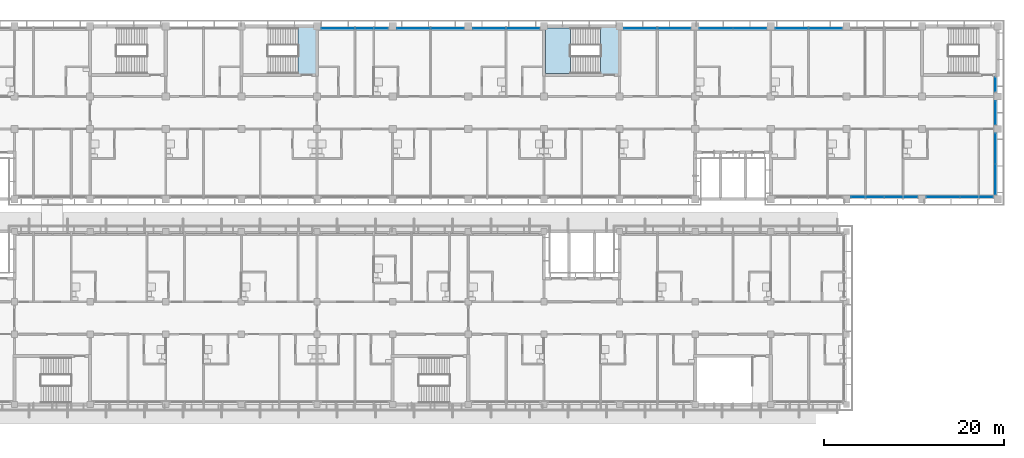
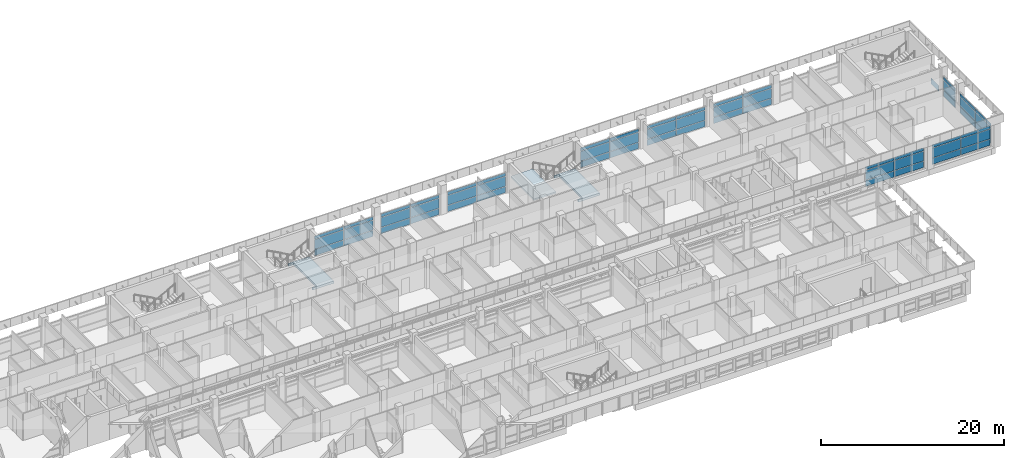
# One storey, part 25 of 71: 58 plates, 3 slabs, 12 elements without a shape of their own.
"""IFC4 building model written with IfcOpenShell, lengths in metres."""

from ifc_helpers import new_model, si_unit, direction, frame, origin, origin_2d, place, context, subcontext, project, spatial, polyline, rectangle, outline, extrude, material, layer, layer_set, type_object, element, aggregate, save


model = new_model("IFC4")

# Units and contexts
model_context = context("Model", 3, precision=1e-05, world=origin(), true_north=direction((0.0, 1.0)))
body_context = subcontext(model_context, "Body", "Model", "MODEL_VIEW")
ifc_project = project(units=[si_unit("LENGTHUNIT", "METRE"), si_unit("AREAUNIT", "SQUARE_METRE"), si_unit("VOLUMEUNIT", "CUBIC_METRE"), si_unit("PLANEANGLEUNIT", "RADIAN"), si_unit("MASSUNIT", "GRAM", prefix="KILO")], contexts=[model_context])

# Site, building, storey
site_placement = place(None, origin())
site = spatial("IfcSite", under=ifc_project, at=site_placement, CompositionType="ELEMENT")
building_placement = place(site_placement, origin())
building = spatial("IfcBuilding", under=site, at=building_placement, Name="Bougainvillea Quay General Hospital", CompositionType="ELEMENT")
storey_placement = place(building_placement, frame((0.0, 0.0, 24.89990234375)))
storey = spatial("IfcBuildingStorey", under=building, at=storey_placement, Name="L05", CompositionType="ELEMENT", Elevation=24.89990234375)

# Curtain wall, plates
ifc_material_1 = material(Name="Aluminium curtain wall system, powder-coated glazed", Category="aluminium")
curtain_wall_type_1 = type_object("IfcCurtainWallType", Name="Unitised curtain wall CW-3730", PredefinedType="NOTDEFINED", material=ifc_material_1)
curtain_wall_1_placement = place(storey_placement, origin())
curtain_wall_1 = element("IfcCurtainWall", 1, at=curtain_wall_1_placement, inside=storey, type_object=curtain_wall_type_1, Name="CW-4200 01", PredefinedType="NOTDEFINED")
ifc_material_2 = material(Name="Insulated aluminium spandrel panel, white", Category="aluminium")
ifc_layer_1 = layer(ifc_material_2, 0.028076171875)
ifc_layer_set_1 = layer_set([ifc_layer_1], Name="Insulated aluminium spandrel panel, white")
plate_type_1 = type_object("IfcPlateType", Name="Insulated spandrel panel white 28", PredefinedType="CURTAIN_PANEL", material=ifc_layer_set_1)
plate_1_placement = place(storey_placement, frame((165.64990234375, 159.35009765625, 0.06005859375), z_axis=(0.0, 0.0, 1.0), x_axis=(-1.0, 0.0, 0.0)))
plate_1 = element("IfcPlate", 2, at=plate_1_placement, type_object=plate_type_1, Name="CW-4200 spandrel panel 1.1", PredefinedType="CURTAIN_PANEL", context=body_context, shape_type="SweptSolid", body=[
    extrude(rectangle(XDim=3.639892578125, YDim=0.028076171875, at=origin_2d()), origin(), (0.0, 0.0, 1.0), 0.81005859375),
])
plate_2_placement = place(storey_placement, frame((165.64990234375, 159.35009765625, 2.2802734375), z_axis=(0.0, 0.0, 1.0), x_axis=(-1.0, 0.0, 0.0)))
plate_2 = element("IfcPlate", 3, at=plate_2_placement, type_object=plate_type_1, Name="CW-4200 spandrel panel 1.3", PredefinedType="CURTAIN_PANEL", context=body_context, shape_type="SweptSolid", body=[
    extrude(rectangle(XDim=3.639892578125, YDim=0.028076171875, at=origin_2d()), origin(), (0.0, 0.0, 1.0), 0.409912109375),
])
plate_3_placement = place(storey_placement, frame((161.949951171875, 159.35009765625, 0.06005859375), z_axis=(0.0, 0.0, 1.0), x_axis=(-1.0, 0.0, 0.0)))
plate_3 = element("IfcPlate", 4, at=plate_3_placement, type_object=plate_type_1, Name="CW-4200 spandrel panel 2.1", PredefinedType="CURTAIN_PANEL", context=body_context, shape_type="SweptSolid", body=[
    extrude(rectangle(XDim=3.639892578125, YDim=0.028076171875, at=origin_2d()), origin(), (0.0, 0.0, 1.0), 0.81005859375),
])
plate_4_placement = place(storey_placement, frame((161.949951171875, 159.35009765625, 2.2802734375), z_axis=(0.0, 0.0, 1.0), x_axis=(-1.0, 0.0, 0.0)))
plate_4 = element("IfcPlate", 5, at=plate_4_placement, type_object=plate_type_1, Name="CW-4200 spandrel panel 2.3", PredefinedType="CURTAIN_PANEL", context=body_context, shape_type="SweptSolid", body=[
    extrude(rectangle(XDim=3.639892578125, YDim=0.028076171875, at=origin_2d()), origin(), (0.0, 0.0, 1.0), 0.409912109375),
])

curtain_wall_2_placement = place(storey_placement, origin())
curtain_wall_2 = element("IfcCurtainWall", 6, at=curtain_wall_2_placement, inside=storey, type_object=curtain_wall_type_1, Name="CW-4200 02", PredefinedType="NOTDEFINED")
plate_5_placement = place(storey_placement, frame((157.25, 159.35009765625, 0.06005859375), z_axis=(0.0, 0.0, 1.0), x_axis=(-1.0, 0.0, 0.0)))
plate_5 = element("IfcPlate", 7, at=plate_5_placement, type_object=plate_type_1, Name="CW-4200 spandrel panel 1.1", PredefinedType="CURTAIN_PANEL", context=body_context, shape_type="SweptSolid", body=[
    extrude(rectangle(XDim=3.639892578125, YDim=0.028076171875, at=origin_2d()), origin(), (0.0, 0.0, 1.0), 0.81005859375),
])
plate_6_placement = place(storey_placement, frame((157.25, 159.35009765625, 2.2802734375), z_axis=(0.0, 0.0, 1.0), x_axis=(-1.0, 0.0, 0.0)))
plate_6 = element("IfcPlate", 8, at=plate_6_placement, type_object=plate_type_1, Name="CW-4200 spandrel panel 1.3", PredefinedType="CURTAIN_PANEL", context=body_context, shape_type="SweptSolid", body=[
    extrude(rectangle(XDim=3.639892578125, YDim=0.028076171875, at=origin_2d()), origin(), (0.0, 0.0, 1.0), 0.409912109375),
])
plate_7_placement = place(storey_placement, frame((153.550048828125, 159.35009765625, 0.06005859375), z_axis=(0.0, 0.0, 1.0), x_axis=(-1.0, 0.0, 0.0)))
plate_7 = element("IfcPlate", 9, at=plate_7_placement, type_object=plate_type_1, Name="CW-4200 spandrel panel 2.1", PredefinedType="CURTAIN_PANEL", context=body_context, shape_type="SweptSolid", body=[
    extrude(rectangle(XDim=3.639892578125, YDim=0.028076171875, at=origin_2d()), origin(), (0.0, 0.0, 1.0), 0.81005859375),
])
plate_8_placement = place(storey_placement, frame((153.550048828125, 159.35009765625, 2.2802734375), z_axis=(0.0, 0.0, 1.0), x_axis=(-1.0, 0.0, 0.0)))
plate_8 = element("IfcPlate", 10, at=plate_8_placement, type_object=plate_type_1, Name="CW-4200 spandrel panel 2.3", PredefinedType="CURTAIN_PANEL", context=body_context, shape_type="SweptSolid", body=[
    extrude(rectangle(XDim=3.639892578125, YDim=0.028076171875, at=origin_2d()), origin(), (0.0, 0.0, 1.0), 0.409912109375),
])

curtain_wall_3_placement = place(storey_placement, origin())
curtain_wall_3 = element("IfcCurtainWall", 11, at=curtain_wall_3_placement, inside=storey, type_object=curtain_wall_type_1, Name="CW-4200 03", PredefinedType="NOTDEFINED")
plate_9_placement = place(storey_placement, frame((148.85009765625, 159.35009765625, 0.06005859375), z_axis=(0.0, 0.0, 1.0), x_axis=(-1.0, 0.0, 0.0)))
plate_9 = element("IfcPlate", 12, at=plate_9_placement, type_object=plate_type_1, Name="CW-4200 spandrel panel 1.1", PredefinedType="CURTAIN_PANEL", context=body_context, shape_type="SweptSolid", body=[
    extrude(rectangle(XDim=3.639892578125, YDim=0.028076171875, at=origin_2d()), origin(), (0.0, 0.0, 1.0), 0.81005859375),
])
plate_10_placement = place(storey_placement, frame((148.85009765625, 159.35009765625, 2.2802734375), z_axis=(0.0, 0.0, 1.0), x_axis=(-1.0, 0.0, 0.0)))
plate_10 = element("IfcPlate", 13, at=plate_10_placement, type_object=plate_type_1, Name="CW-4200 spandrel panel 1.3", PredefinedType="CURTAIN_PANEL", context=body_context, shape_type="SweptSolid", body=[
    extrude(rectangle(XDim=3.639892578125, YDim=0.028076171875, at=origin_2d()), origin(), (0.0, 0.0, 1.0), 0.409912109375),
])
plate_11_placement = place(storey_placement, frame((145.14990234375, 159.35009765625, 0.06005859375), z_axis=(0.0, 0.0, 1.0), x_axis=(-1.0, 0.0, 0.0)))
plate_11 = element("IfcPlate", 14, at=plate_11_placement, type_object=plate_type_1, Name="CW-4200 spandrel panel 2.1", PredefinedType="CURTAIN_PANEL", context=body_context, shape_type="SweptSolid", body=[
    extrude(rectangle(XDim=3.639892578125, YDim=0.028076171875, at=origin_2d()), origin(), (0.0, 0.0, 1.0), 0.81005859375),
])
plate_12_placement = place(storey_placement, frame((145.14990234375, 159.35009765625, 2.2802734375), z_axis=(0.0, 0.0, 1.0), x_axis=(-1.0, 0.0, 0.0)))
plate_12 = element("IfcPlate", 15, at=plate_12_placement, type_object=plate_type_1, Name="CW-4200 spandrel panel 2.3", PredefinedType="CURTAIN_PANEL", context=body_context, shape_type="SweptSolid", body=[
    extrude(rectangle(XDim=3.639892578125, YDim=0.028076171875, at=origin_2d()), origin(), (0.0, 0.0, 1.0), 0.409912109375),
])

curtain_wall_4_placement = place(storey_placement, origin())
curtain_wall_4 = element("IfcCurtainWall", 16, at=curtain_wall_4_placement, inside=storey, type_object=curtain_wall_type_1, Name="CW-4200 04", PredefinedType="NOTDEFINED")
plate_13_placement = place(storey_placement, frame((132.050048828125, 159.35009765625, 0.06005859375), z_axis=(0.0, 0.0, 1.0), x_axis=(-1.0, 0.0, 0.0)))
plate_13 = element("IfcPlate", 17, at=plate_13_placement, type_object=plate_type_1, Name="CW-4200 spandrel panel 1.1", PredefinedType="CURTAIN_PANEL", context=body_context, shape_type="SweptSolid", body=[
    extrude(rectangle(XDim=3.639892578125, YDim=0.028076171875, at=origin_2d()), origin(), (0.0, 0.0, 1.0), 0.81005859375),
])
plate_14_placement = place(storey_placement, frame((132.050048828125, 159.35009765625, 2.2802734375), z_axis=(0.0, 0.0, 1.0), x_axis=(-1.0, 0.0, 0.0)))
plate_14 = element("IfcPlate", 18, at=plate_14_placement, type_object=plate_type_1, Name="CW-4200 spandrel panel 1.3", PredefinedType="CURTAIN_PANEL", context=body_context, shape_type="SweptSolid", body=[
    extrude(rectangle(XDim=3.639892578125, YDim=0.028076171875, at=origin_2d()), origin(), (0.0, 0.0, 1.0), 0.409912109375),
])
plate_15_placement = place(storey_placement, frame((128.35009765625, 159.35009765625, 0.06005859375), z_axis=(0.0, 0.0, 1.0), x_axis=(-1.0, 0.0, 0.0)))
plate_15 = element("IfcPlate", 19, at=plate_15_placement, type_object=plate_type_1, Name="CW-4200 spandrel panel 2.1", PredefinedType="CURTAIN_PANEL", context=body_context, shape_type="SweptSolid", body=[
    extrude(rectangle(XDim=3.639892578125, YDim=0.028076171875, at=origin_2d()), origin(), (0.0, 0.0, 1.0), 0.81005859375),
])
plate_16_placement = place(storey_placement, frame((128.35009765625, 159.35009765625, 2.2802734375), z_axis=(0.0, 0.0, 1.0), x_axis=(-1.0, 0.0, 0.0)))
plate_16 = element("IfcPlate", 20, at=plate_16_placement, type_object=plate_type_1, Name="CW-4200 spandrel panel 2.3", PredefinedType="CURTAIN_PANEL", context=body_context, shape_type="SweptSolid", body=[
    extrude(rectangle(XDim=3.639892578125, YDim=0.028076171875, at=origin_2d()), origin(), (0.0, 0.0, 1.0), 0.409912109375),
])

curtain_wall_5_placement = place(storey_placement, origin())
curtain_wall_5 = element("IfcCurtainWall", 21, at=curtain_wall_5_placement, inside=storey, type_object=curtain_wall_type_1, Name="CW-4200 05", PredefinedType="NOTDEFINED")
plate_17_placement = place(storey_placement, frame((123.64990234375, 159.35009765625, 0.06005859375), z_axis=(0.0, 0.0, 1.0), x_axis=(-1.0, 0.0, 0.0)))
plate_17 = element("IfcPlate", 22, at=plate_17_placement, type_object=plate_type_1, Name="CW-4200 spandrel panel 1.1", PredefinedType="CURTAIN_PANEL", context=body_context, shape_type="SweptSolid", body=[
    extrude(rectangle(XDim=3.639892578125, YDim=0.028076171875, at=origin_2d()), origin(), (0.0, 0.0, 1.0), 0.81005859375),
])
plate_18_placement = place(storey_placement, frame((123.64990234375, 159.35009765625, 2.2802734375), z_axis=(0.0, 0.0, 1.0), x_axis=(-1.0, 0.0, 0.0)))
plate_18 = element("IfcPlate", 23, at=plate_18_placement, type_object=plate_type_1, Name="CW-4200 spandrel panel 1.3", PredefinedType="CURTAIN_PANEL", context=body_context, shape_type="SweptSolid", body=[
    extrude(rectangle(XDim=3.639892578125, YDim=0.028076171875, at=origin_2d()), origin(), (0.0, 0.0, 1.0), 0.409912109375),
])
plate_19_placement = place(storey_placement, frame((119.949951171875, 159.35009765625, 0.06005859375), z_axis=(0.0, 0.0, 1.0), x_axis=(-1.0, 0.0, 0.0)))
plate_19 = element("IfcPlate", 24, at=plate_19_placement, type_object=plate_type_1, Name="CW-4200 spandrel panel 2.1", PredefinedType="CURTAIN_PANEL", context=body_context, shape_type="SweptSolid", body=[
    extrude(rectangle(XDim=3.639892578125, YDim=0.028076171875, at=origin_2d()), origin(), (0.0, 0.0, 1.0), 0.81005859375),
])
plate_20_placement = place(storey_placement, frame((119.949951171875, 159.35009765625, 2.2802734375), z_axis=(0.0, 0.0, 1.0), x_axis=(-1.0, 0.0, 0.0)))
plate_20 = element("IfcPlate", 25, at=plate_20_placement, type_object=plate_type_1, Name="CW-4200 spandrel panel 2.3", PredefinedType="CURTAIN_PANEL", context=body_context, shape_type="SweptSolid", body=[
    extrude(rectangle(XDim=3.639892578125, YDim=0.028076171875, at=origin_2d()), origin(), (0.0, 0.0, 1.0), 0.409912109375),
])

curtain_wall_6_placement = place(storey_placement, origin())
curtain_wall_6 = element("IfcCurtainWall", 26, at=curtain_wall_6_placement, inside=storey, type_object=curtain_wall_type_1, Name="CW-4200 06", PredefinedType="NOTDEFINED")
plate_21_placement = place(storey_placement, frame((115.25, 159.35009765625, 0.06005859375), z_axis=(0.0, 0.0, 1.0), x_axis=(-1.0, 0.0, 0.0)))
plate_21 = element("IfcPlate", 27, at=plate_21_placement, type_object=plate_type_1, Name="CW-4200 spandrel panel 1.1", PredefinedType="CURTAIN_PANEL", context=body_context, shape_type="SweptSolid", body=[
    extrude(rectangle(XDim=3.639892578125, YDim=0.028076171875, at=origin_2d()), origin(), (0.0, 0.0, 1.0), 0.81005859375),
])
plate_22_placement = place(storey_placement, frame((115.25, 159.35009765625, 2.2802734375), z_axis=(0.0, 0.0, 1.0), x_axis=(-1.0, 0.0, 0.0)))
plate_22 = element("IfcPlate", 28, at=plate_22_placement, type_object=plate_type_1, Name="CW-4200 spandrel panel 1.3", PredefinedType="CURTAIN_PANEL", context=body_context, shape_type="SweptSolid", body=[
    extrude(rectangle(XDim=3.639892578125, YDim=0.028076171875, at=origin_2d()), origin(), (0.0, 0.0, 1.0), 0.409912109375),
])
plate_23_placement = place(storey_placement, frame((111.550048828125, 159.35009765625, 0.06005859375), z_axis=(0.0, 0.0, 1.0), x_axis=(-1.0, 0.0, 0.0)))
plate_23 = element("IfcPlate", 29, at=plate_23_placement, type_object=plate_type_1, Name="CW-4200 spandrel panel 2.1", PredefinedType="CURTAIN_PANEL", context=body_context, shape_type="SweptSolid", body=[
    extrude(rectangle(XDim=3.639892578125, YDim=0.028076171875, at=origin_2d()), origin(), (0.0, 0.0, 1.0), 0.81005859375),
])
plate_24_placement = place(storey_placement, frame((111.550048828125, 159.35009765625, 2.2802734375), z_axis=(0.0, 0.0, 1.0), x_axis=(-1.0, 0.0, 0.0)))
plate_24 = element("IfcPlate", 30, at=plate_24_placement, type_object=plate_type_1, Name="CW-4200 spandrel panel 2.3", PredefinedType="CURTAIN_PANEL", context=body_context, shape_type="SweptSolid", body=[
    extrude(rectangle(XDim=3.639892578125, YDim=0.028076171875, at=origin_2d()), origin(), (0.0, 0.0, 1.0), 0.409912109375),
])

curtain_wall_7_placement = place(storey_placement, origin())
curtain_wall_7 = element("IfcCurtainWall", 31, at=curtain_wall_7_placement, inside=storey, type_object=curtain_wall_type_1, Name="CW-4200 01", PredefinedType="NOTDEFINED")
plate_25_placement = place(storey_placement, frame((170.35009765625, 140.64990234375, 0.06005859375), z_axis=(0.0, 0.0, 1.0), x_axis=(1.0, 0.0, 0.0)))
plate_25 = element("IfcPlate", 32, at=plate_25_placement, type_object=plate_type_1, Name="CW-4200 spandrel panel 1.1", PredefinedType="CURTAIN_PANEL", context=body_context, shape_type="SweptSolid", body=[
    extrude(rectangle(XDim=3.639892578125, YDim=0.028076171875, at=origin_2d()), origin(), (0.0, 0.0, 1.0), 0.81005859375),
])
plate_26_placement = place(storey_placement, frame((170.35009765625, 140.64990234375, 2.2802734375), z_axis=(0.0, 0.0, 1.0), x_axis=(1.0, 0.0, 0.0)))
plate_26 = element("IfcPlate", 33, at=plate_26_placement, type_object=plate_type_1, Name="CW-4200 spandrel panel 1.3", PredefinedType="CURTAIN_PANEL", context=body_context, shape_type="SweptSolid", body=[
    extrude(rectangle(XDim=3.639892578125, YDim=0.028076171875, at=origin_2d()), origin(), (0.0, 0.0, 1.0), 0.409912109375),
])
plate_27_placement = place(storey_placement, frame((174.050048828125, 140.64990234375, 0.06005859375), z_axis=(0.0, 0.0, 1.0), x_axis=(1.0, 0.0, 0.0)))
plate_27 = element("IfcPlate", 34, at=plate_27_placement, type_object=plate_type_1, Name="CW-4200 spandrel panel 2.1", PredefinedType="CURTAIN_PANEL", context=body_context, shape_type="SweptSolid", body=[
    extrude(rectangle(XDim=3.639892578125, YDim=0.028076171875, at=origin_2d()), origin(), (0.0, 0.0, 1.0), 0.81005859375),
])
plate_28_placement = place(storey_placement, frame((174.050048828125, 140.64990234375, 2.2802734375), z_axis=(0.0, 0.0, 1.0), x_axis=(1.0, 0.0, 0.0)))
plate_28 = element("IfcPlate", 35, at=plate_28_placement, type_object=plate_type_1, Name="CW-4200 spandrel panel 2.3", PredefinedType="CURTAIN_PANEL", context=body_context, shape_type="SweptSolid", body=[
    extrude(rectangle(XDim=3.639892578125, YDim=0.028076171875, at=origin_2d()), origin(), (0.0, 0.0, 1.0), 0.409912109375),
])

curtain_wall_8_placement = place(storey_placement, origin())
curtain_wall_8 = element("IfcCurtainWall", 36, at=curtain_wall_8_placement, inside=storey, type_object=curtain_wall_type_1, Name="CW-4200 02", PredefinedType="NOTDEFINED")
plate_29_placement = place(storey_placement, frame((178.75, 140.64990234375, 0.06005859375), z_axis=(0.0, 0.0, 1.0), x_axis=(1.0, 0.0, 0.0)))
plate_29 = element("IfcPlate", 37, at=plate_29_placement, type_object=plate_type_1, Name="CW-4200 spandrel panel 1.1", PredefinedType="CURTAIN_PANEL", context=body_context, shape_type="SweptSolid", body=[
    extrude(rectangle(XDim=3.639892578125, YDim=0.028076171875, at=origin_2d()), origin(), (0.0, 0.0, 1.0), 0.81005859375),
])
plate_30_placement = place(storey_placement, frame((178.75, 140.64990234375, 2.2802734375), z_axis=(0.0, 0.0, 1.0), x_axis=(1.0, 0.0, 0.0)))
plate_30 = element("IfcPlate", 38, at=plate_30_placement, type_object=plate_type_1, Name="CW-4200 spandrel panel 1.3", PredefinedType="CURTAIN_PANEL", context=body_context, shape_type="SweptSolid", body=[
    extrude(rectangle(XDim=3.639892578125, YDim=0.028076171875, at=origin_2d()), origin(), (0.0, 0.0, 1.0), 0.409912109375),
])
plate_31_placement = place(storey_placement, frame((182.449951171875, 140.64990234375, 0.06005859375), z_axis=(0.0, 0.0, 1.0), x_axis=(1.0, 0.0, 0.0)))
plate_31 = element("IfcPlate", 39, at=plate_31_placement, type_object=plate_type_1, Name="CW-4200 spandrel panel 2.1", PredefinedType="CURTAIN_PANEL", context=body_context, shape_type="SweptSolid", body=[
    extrude(rectangle(XDim=3.639892578125, YDim=0.028076171875, at=origin_2d()), origin(), (0.0, 0.0, 1.0), 0.81005859375),
])
plate_32_placement = place(storey_placement, frame((182.449951171875, 140.64990234375, 2.2802734375), z_axis=(0.0, 0.0, 1.0), x_axis=(1.0, 0.0, 0.0)))
plate_32 = element("IfcPlate", 40, at=plate_32_placement, type_object=plate_type_1, Name="CW-4200 spandrel panel 2.3", PredefinedType="CURTAIN_PANEL", context=body_context, shape_type="SweptSolid", body=[
    extrude(rectangle(XDim=3.639892578125, YDim=0.028076171875, at=origin_2d()), origin(), (0.0, 0.0, 1.0), 0.409912109375),
])

curtain_wall_type_2 = type_object("IfcCurtainWallType", Name="Unitised curtain wall CW-3430", PredefinedType="NOTDEFINED", material=ifc_material_1)
curtain_wall_9_placement = place(storey_placement, origin())
curtain_wall_9 = element("IfcCurtainWall", 41, at=curtain_wall_9_placement, inside=storey, type_object=curtain_wall_type_2, Name="CW-4200 00", PredefinedType="NOTDEFINED")
plate_33_placement = place(storey_placement, frame((184.550048828125, 142.60009765625, 0.06005859375), z_axis=(0.0, 0.0, 1.0), x_axis=(0.0, 1.0, 0.0)))
plate_33 = element("IfcPlate", 42, at=plate_33_placement, type_object=plate_type_1, Name="CW-4200 spandrel panel 1.1", PredefinedType="CURTAIN_PANEL", context=body_context, shape_type="SweptSolid", body=[
    extrude(rectangle(XDim=3.340087890625, YDim=0.028076171875, at=origin_2d()), origin(), (0.0, 0.0, 1.0), 0.81005859375),
])
plate_34_placement = place(storey_placement, frame((184.550048828125, 142.60009765625, 2.2802734375), z_axis=(0.0, 0.0, 1.0), x_axis=(0.0, 1.0, 0.0)))
plate_34 = element("IfcPlate", 43, at=plate_34_placement, type_object=plate_type_1, Name="CW-4200 spandrel panel 1.3", PredefinedType="CURTAIN_PANEL", context=body_context, shape_type="SweptSolid", body=[
    extrude(rectangle(XDim=3.340087890625, YDim=0.028076171875, at=origin_2d()), origin(), (0.0, 0.0, 1.0), 0.409912109375),
])
plate_35_placement = place(storey_placement, frame((184.550048828125, 146.0, 0.06005859375), z_axis=(0.0, 0.0, 1.0), x_axis=(0.0, 1.0, 0.0)))
plate_35 = element("IfcPlate", 44, at=plate_35_placement, type_object=plate_type_1, Name="CW-4200 spandrel panel 2.1", PredefinedType="CURTAIN_PANEL", context=body_context, shape_type="SweptSolid", body=[
    extrude(rectangle(XDim=3.340087890625, YDim=0.028076171875, at=origin_2d()), origin(), (0.0, 0.0, 1.0), 0.81005859375),
])
plate_36_placement = place(storey_placement, frame((184.550048828125, 146.0, 2.2802734375), z_axis=(0.0, 0.0, 1.0), x_axis=(0.0, 1.0, 0.0)))
plate_36 = element("IfcPlate", 45, at=plate_36_placement, type_object=plate_type_1, Name="CW-4200 spandrel panel 2.3", PredefinedType="CURTAIN_PANEL", context=body_context, shape_type="SweptSolid", body=[
    extrude(rectangle(XDim=3.340087890625, YDim=0.028076171875, at=origin_2d()), origin(), (0.0, 0.0, 1.0), 0.409912109375),
])

curtain_wall_type_3 = type_object("IfcCurtainWallType", Name="Unitised curtain wall CW-2660", PredefinedType="NOTDEFINED", material=ifc_material_1)
curtain_wall_10_placement = place(storey_placement, origin())
curtain_wall_10 = element("IfcCurtainWall", 46, at=curtain_wall_10_placement, inside=storey, type_object=curtain_wall_type_3, Name="CW-4200 01", PredefinedType="NOTDEFINED")
plate_37_placement = place(storey_placement, frame((184.550048828125, 150.0, 0.06005859375), z_axis=(0.0, 0.0, 1.0), x_axis=(0.0, 1.0, 0.0)))
plate_37 = element("IfcPlate", 47, at=plate_37_placement, type_object=plate_type_1, Name="CW-4200 spandrel panel 1.1", PredefinedType="CURTAIN_PANEL", context=body_context, shape_type="SweptSolid", body=[
    extrude(rectangle(XDim=2.5400390625, YDim=0.028076171875, at=origin_2d()), origin(), (0.0, 0.0, 1.0), 0.81005859375),
])
plate_38_placement = place(storey_placement, frame((184.550048828125, 150.0, 2.2802734375), z_axis=(0.0, 0.0, 1.0), x_axis=(0.0, 1.0, 0.0)))
plate_38 = element("IfcPlate", 48, at=plate_38_placement, type_object=plate_type_1, Name="CW-4200 spandrel panel 1.3", PredefinedType="CURTAIN_PANEL", context=body_context, shape_type="SweptSolid", body=[
    extrude(rectangle(XDim=2.5400390625, YDim=0.028076171875, at=origin_2d()), origin(), (0.0, 0.0, 1.0), 0.409912109375),
])

# Curtain wall, plate
curtain_wall_type_4 = type_object("IfcCurtainWallType", Name="Unitised curtain wall CW-1755", PredefinedType="NOTDEFINED", material=ifc_material_1)
curtain_wall_11_placement = place(storey_placement, origin())
curtain_wall_11 = element("IfcCurtainWall", 49, at=curtain_wall_11_placement, inside=storey, type_object=curtain_wall_type_4, Name="CW-4200 02", PredefinedType="NOTDEFINED")
plate_39_placement = place(storey_placement, frame((184.550048828125, 153.1474609375, 0.06005859375), z_axis=(0.0, 0.0, 1.0), x_axis=(0.0, 1.0, 0.0)))
plate_39 = element("IfcPlate", 50, at=plate_39_placement, type_object=plate_type_1, Name="CW-4200 spandrel panel 1.1", PredefinedType="CURTAIN_PANEL", context=body_context, shape_type="SweptSolid", body=[
    extrude(rectangle(XDim=1.635009765625, YDim=0.028076171875, at=origin_2d()), origin(), (0.0, 0.0, 1.0), 0.81005859375),
])
aggregate(curtain_wall_11, [plate_39])

# Plate
ifc_material_3 = material(Name="Low-e laminated glass, solar control", Category="glass")
ifc_layer_2 = layer(ifc_material_3, 0.028076171875)
ifc_layer_set_2 = layer_set([ifc_layer_2], Name="Low-e laminated glass, solar control")
plate_type_2 = type_object("IfcPlateType", Name="Low-e laminated vision glass 28", PredefinedType="CURTAIN_PANEL", material=ifc_layer_set_2)
plate_40_placement = place(storey_placement, frame((165.64990234375, 159.35009765625, 0.93017578125), z_axis=(0.0, 0.0, 1.0), x_axis=(-1.0, 0.0, 0.0)))
plate_40 = element("IfcPlate", 51, at=plate_40_placement, type_object=plate_type_2, Name="CW-4200 vision glass panel 1.2", PredefinedType="CURTAIN_PANEL", context=body_context, shape_type="SweptSolid", body=[
    extrude(rectangle(XDim=3.639892578125, YDim=0.028076171875, at=origin_2d()), origin(), (0.0, 0.0, 1.0), 1.2900390625),
])

plate_41_placement = place(storey_placement, frame((161.949951171875, 159.35009765625, 0.93017578125), z_axis=(0.0, 0.0, 1.0), x_axis=(-1.0, 0.0, 0.0)))
plate_41 = element("IfcPlate", 52, at=plate_41_placement, type_object=plate_type_2, Name="CW-4200 vision glass panel 2.2", PredefinedType="CURTAIN_PANEL", context=body_context, shape_type="SweptSolid", body=[
    extrude(rectangle(XDim=3.639892578125, YDim=0.028076171875, at=origin_2d()), origin(), (0.0, 0.0, 1.0), 1.2900390625),
])

aggregate(curtain_wall_1, [plate_1, plate_40, plate_2, plate_3, plate_41, plate_4])

plate_42_placement = place(storey_placement, frame((157.25, 159.35009765625, 0.93017578125), z_axis=(0.0, 0.0, 1.0), x_axis=(-1.0, 0.0, 0.0)))
plate_42 = element("IfcPlate", 53, at=plate_42_placement, type_object=plate_type_2, Name="CW-4200 vision glass panel 1.2", PredefinedType="CURTAIN_PANEL", context=body_context, shape_type="SweptSolid", body=[
    extrude(rectangle(XDim=3.639892578125, YDim=0.028076171875, at=origin_2d()), origin(), (0.0, 0.0, 1.0), 1.2900390625),
])

plate_43_placement = place(storey_placement, frame((153.550048828125, 159.35009765625, 0.93017578125), z_axis=(0.0, 0.0, 1.0), x_axis=(-1.0, 0.0, 0.0)))
plate_43 = element("IfcPlate", 54, at=plate_43_placement, type_object=plate_type_2, Name="CW-4200 vision glass panel 2.2", PredefinedType="CURTAIN_PANEL", context=body_context, shape_type="SweptSolid", body=[
    extrude(rectangle(XDim=3.639892578125, YDim=0.028076171875, at=origin_2d()), origin(), (0.0, 0.0, 1.0), 1.2900390625),
])

aggregate(curtain_wall_2, [plate_5, plate_42, plate_6, plate_7, plate_43, plate_8])

plate_44_placement = place(storey_placement, frame((148.85009765625, 159.35009765625, 0.93017578125), z_axis=(0.0, 0.0, 1.0), x_axis=(-1.0, 0.0, 0.0)))
plate_44 = element("IfcPlate", 55, at=plate_44_placement, type_object=plate_type_2, Name="CW-4200 vision glass panel 1.2", PredefinedType="CURTAIN_PANEL", context=body_context, shape_type="SweptSolid", body=[
    extrude(rectangle(XDim=3.639892578125, YDim=0.028076171875, at=origin_2d()), origin(), (0.0, 0.0, 1.0), 1.2900390625),
])

plate_45_placement = place(storey_placement, frame((145.14990234375, 159.35009765625, 0.93017578125), z_axis=(0.0, 0.0, 1.0), x_axis=(-1.0, 0.0, 0.0)))
plate_45 = element("IfcPlate", 56, at=plate_45_placement, type_object=plate_type_2, Name="CW-4200 vision glass panel 2.2", PredefinedType="CURTAIN_PANEL", context=body_context, shape_type="SweptSolid", body=[
    extrude(rectangle(XDim=3.639892578125, YDim=0.028076171875, at=origin_2d()), origin(), (0.0, 0.0, 1.0), 1.2900390625),
])

aggregate(curtain_wall_3, [plate_9, plate_44, plate_10, plate_11, plate_45, plate_12])

plate_46_placement = place(storey_placement, frame((132.050048828125, 159.35009765625, 0.93017578125), z_axis=(0.0, 0.0, 1.0), x_axis=(-1.0, 0.0, 0.0)))
plate_46 = element("IfcPlate", 57, at=plate_46_placement, type_object=plate_type_2, Name="CW-4200 vision glass panel 1.2", PredefinedType="CURTAIN_PANEL", context=body_context, shape_type="SweptSolid", body=[
    extrude(rectangle(XDim=3.639892578125, YDim=0.028076171875, at=origin_2d()), origin(), (0.0, 0.0, 1.0), 1.2900390625),
])

plate_47_placement = place(storey_placement, frame((128.35009765625, 159.35009765625, 0.93017578125), z_axis=(0.0, 0.0, 1.0), x_axis=(-1.0, 0.0, 0.0)))
plate_47 = element("IfcPlate", 58, at=plate_47_placement, type_object=plate_type_2, Name="CW-4200 vision glass panel 2.2", PredefinedType="CURTAIN_PANEL", context=body_context, shape_type="SweptSolid", body=[
    extrude(rectangle(XDim=3.639892578125, YDim=0.028076171875, at=origin_2d()), origin(), (0.0, 0.0, 1.0), 1.2900390625),
])

aggregate(curtain_wall_4, [plate_13, plate_46, plate_14, plate_15, plate_47, plate_16])

plate_48_placement = place(storey_placement, frame((123.64990234375, 159.35009765625, 0.93017578125), z_axis=(0.0, 0.0, 1.0), x_axis=(-1.0, 0.0, 0.0)))
plate_48 = element("IfcPlate", 59, at=plate_48_placement, type_object=plate_type_2, Name="CW-4200 vision glass panel 1.2", PredefinedType="CURTAIN_PANEL", context=body_context, shape_type="SweptSolid", body=[
    extrude(rectangle(XDim=3.639892578125, YDim=0.028076171875, at=origin_2d()), origin(), (0.0, 0.0, 1.0), 1.2900390625),
])

plate_49_placement = place(storey_placement, frame((119.949951171875, 159.35009765625, 0.93017578125), z_axis=(0.0, 0.0, 1.0), x_axis=(-1.0, 0.0, 0.0)))
plate_49 = element("IfcPlate", 60, at=plate_49_placement, type_object=plate_type_2, Name="CW-4200 vision glass panel 2.2", PredefinedType="CURTAIN_PANEL", context=body_context, shape_type="SweptSolid", body=[
    extrude(rectangle(XDim=3.639892578125, YDim=0.028076171875, at=origin_2d()), origin(), (0.0, 0.0, 1.0), 1.2900390625),
])

aggregate(curtain_wall_5, [plate_17, plate_48, plate_18, plate_19, plate_49, plate_20])

plate_50_placement = place(storey_placement, frame((115.25, 159.35009765625, 0.93017578125), z_axis=(0.0, 0.0, 1.0), x_axis=(-1.0, 0.0, 0.0)))
plate_50 = element("IfcPlate", 61, at=plate_50_placement, type_object=plate_type_2, Name="CW-4200 vision glass panel 1.2", PredefinedType="CURTAIN_PANEL", context=body_context, shape_type="SweptSolid", body=[
    extrude(rectangle(XDim=3.639892578125, YDim=0.028076171875, at=origin_2d()), origin(), (0.0, 0.0, 1.0), 1.2900390625),
])

plate_51_placement = place(storey_placement, frame((111.550048828125, 159.35009765625, 0.93017578125), z_axis=(0.0, 0.0, 1.0), x_axis=(-1.0, 0.0, 0.0)))
plate_51 = element("IfcPlate", 62, at=plate_51_placement, type_object=plate_type_2, Name="CW-4200 vision glass panel 2.2", PredefinedType="CURTAIN_PANEL", context=body_context, shape_type="SweptSolid", body=[
    extrude(rectangle(XDim=3.639892578125, YDim=0.028076171875, at=origin_2d()), origin(), (0.0, 0.0, 1.0), 1.2900390625),
])

aggregate(curtain_wall_6, [plate_21, plate_50, plate_22, plate_23, plate_51, plate_24])

plate_52_placement = place(storey_placement, frame((170.35009765625, 140.64990234375, 0.93017578125), z_axis=(0.0, 0.0, 1.0), x_axis=(1.0, 0.0, 0.0)))
plate_52 = element("IfcPlate", 63, at=plate_52_placement, type_object=plate_type_2, Name="CW-4200 vision glass panel 1.2", PredefinedType="CURTAIN_PANEL", context=body_context, shape_type="SweptSolid", body=[
    extrude(rectangle(XDim=3.639892578125, YDim=0.028076171875, at=origin_2d()), origin(), (0.0, 0.0, 1.0), 1.2900390625),
])

plate_53_placement = place(storey_placement, frame((174.050048828125, 140.64990234375, 0.93017578125), z_axis=(0.0, 0.0, 1.0), x_axis=(1.0, 0.0, 0.0)))
plate_53 = element("IfcPlate", 64, at=plate_53_placement, type_object=plate_type_2, Name="CW-4200 vision glass panel 2.2", PredefinedType="CURTAIN_PANEL", context=body_context, shape_type="SweptSolid", body=[
    extrude(rectangle(XDim=3.639892578125, YDim=0.028076171875, at=origin_2d()), origin(), (0.0, 0.0, 1.0), 1.2900390625),
])

aggregate(curtain_wall_7, [plate_25, plate_52, plate_26, plate_27, plate_53, plate_28])

plate_54_placement = place(storey_placement, frame((178.75, 140.64990234375, 0.93017578125), z_axis=(0.0, 0.0, 1.0), x_axis=(1.0, 0.0, 0.0)))
plate_54 = element("IfcPlate", 65, at=plate_54_placement, type_object=plate_type_2, Name="CW-4200 vision glass panel 1.2", PredefinedType="CURTAIN_PANEL", context=body_context, shape_type="SweptSolid", body=[
    extrude(rectangle(XDim=3.639892578125, YDim=0.028076171875, at=origin_2d()), origin(), (0.0, 0.0, 1.0), 1.2900390625),
])

plate_55_placement = place(storey_placement, frame((182.449951171875, 140.64990234375, 0.93017578125), z_axis=(0.0, 0.0, 1.0), x_axis=(1.0, 0.0, 0.0)))
plate_55 = element("IfcPlate", 66, at=plate_55_placement, type_object=plate_type_2, Name="CW-4200 vision glass panel 2.2", PredefinedType="CURTAIN_PANEL", context=body_context, shape_type="SweptSolid", body=[
    extrude(rectangle(XDim=3.639892578125, YDim=0.028076171875, at=origin_2d()), origin(), (0.0, 0.0, 1.0), 1.2900390625),
])

aggregate(curtain_wall_8, [plate_29, plate_54, plate_30, plate_31, plate_55, plate_32])

plate_56_placement = place(storey_placement, frame((184.550048828125, 142.60009765625, 0.93017578125), z_axis=(0.0, 0.0, 1.0), x_axis=(0.0, 1.0, 0.0)))
plate_56 = element("IfcPlate", 67, at=plate_56_placement, type_object=plate_type_2, Name="CW-4200 vision glass panel 1.2", PredefinedType="CURTAIN_PANEL", context=body_context, shape_type="SweptSolid", body=[
    extrude(rectangle(XDim=3.340087890625, YDim=0.028076171875, at=origin_2d()), origin(), (0.0, 0.0, 1.0), 1.2900390625),
])

plate_57_placement = place(storey_placement, frame((184.550048828125, 146.0, 0.93017578125), z_axis=(0.0, 0.0, 1.0), x_axis=(0.0, 1.0, 0.0)))
plate_57 = element("IfcPlate", 68, at=plate_57_placement, type_object=plate_type_2, Name="CW-4200 vision glass panel 2.2", PredefinedType="CURTAIN_PANEL", context=body_context, shape_type="SweptSolid", body=[
    extrude(rectangle(XDim=3.340087890625, YDim=0.028076171875, at=origin_2d()), origin(), (0.0, 0.0, 1.0), 1.2900390625),
])

aggregate(curtain_wall_9, [plate_33, plate_56, plate_34, plate_35, plate_57, plate_36])

plate_58_placement = place(storey_placement, frame((184.550048828125, 150.0, 0.93017578125), z_axis=(0.0, 0.0, 1.0), x_axis=(0.0, 1.0, 0.0)))
plate_58 = element("IfcPlate", 69, at=plate_58_placement, type_object=plate_type_2, Name="CW-4200 vision glass panel 1.2", PredefinedType="CURTAIN_PANEL", context=body_context, shape_type="SweptSolid", body=[
    extrude(rectangle(XDim=2.5400390625, YDim=0.028076171875, at=origin_2d()), origin(), (0.0, 0.0, 1.0), 1.2900390625),
])

aggregate(curtain_wall_10, [plate_37, plate_58, plate_38])

# Slabs
ifc_material_4 = material(Name="Concrete C35", Category="concrete")
ifc_layer_3 = layer(ifc_material_4, 0.300048828125)
ifc_layer_set_3 = layer_set([ifc_layer_3], Name="Concrete C35")
slab_type_1 = type_object("IfcSlabType", Name="RC FLAT SLAB 300 C35", PredefinedType="FLOOR", material=ifc_layer_set_3)
slab_1_placement = place(storey_placement, frame((0.0, 0.0, -0.2998046875)))
element("IfcSlab", 70, at=slab_1_placement, inside=storey, type_object=slab_type_1, Name="Stair landing floor ST-A3 L05", PredefinedType="FLOOR", context=body_context, shape_type="SweptSolid", body=[
    extrude(outline(polyline([(140.102783203125, 159.48388671875), (140.111572265625, 159.5419921875), (140.1259765625, 159.599609375), (142.800048828125, 159.60009765625), (142.800048828125, 154.199951171875), (140.1259765625, 154.200439453125), (140.111572265625, 154.2578125), (140.102783203125, 154.316162109375), (140.10009765625, 154.3740234375), (140.70068359375, 154.374267578125), (140.70068359375, 159.425537109375), (140.10009765625, 159.426025390625), (140.102783203125, 159.48388671875)])), origin(), (0.0, 0.0, 1.0), 0.2998046875),
])
slab_2_placement = place(storey_placement, frame((0.0, 0.0, -0.2998046875)))
element("IfcSlab", 71, at=slab_2_placement, inside=storey, type_object=slab_type_1, Name="Stair landing floor ST-A5 L05", PredefinedType="FLOOR", context=body_context, shape_type="SweptSolid", body=[
    extrude(outline(polyline([(106.5029296875, 159.48388671875), (106.511474609375, 159.5419921875), (106.52587890625, 159.599609375), (109.199951171875, 159.60009765625), (109.199951171875, 154.199951171875), (106.52587890625, 154.200439453125), (106.511474609375, 154.2578125), (106.5029296875, 154.316162109375), (106.5, 154.3740234375), (107.1005859375, 154.374267578125), (107.1005859375, 159.425537109375), (106.5, 159.426025390625), (106.5029296875, 159.48388671875)])), origin(), (0.0, 0.0, 1.0), 0.2998046875),
])

# Stair, slab
stair_type = type_object("IfcStairType", Name="Stair half-turn 1925 wide", PredefinedType="HALF_TURN_STAIR", material=ifc_material_4)
stair_placement = place(storey_placement, origin())
stair = element("IfcStair", 72, at=stair_placement, inside=storey, type_object=stair_type, Name="L05 stair ST-A3", PredefinedType="HALF_TURN_STAIR")
ifc_layer_4 = layer(ifc_material_4, 0.199951171875)
ifc_layer_set_4 = layer_set([ifc_layer_4], Name="Concrete C35")
slab_type_2 = type_object("IfcSlabType", Name="Stair landing 200", PredefinedType="LANDING", material=ifc_layer_set_4)
slab_3_placement = place(storey_placement, frame((0.0, 0.0, 1.75)))
slab_3 = element("IfcSlab", 73, at=slab_3_placement, type_object=slab_type_2, Name="ST-A3 landing 1", PredefinedType="LANDING", context=body_context, shape_type="SweptSolid", body=[
    extrude(outline(polyline([(137.340087890625, 159.425048828125), (134.574951171875, 159.425048828125), (134.574951171875, 154.375), (137.340087890625, 154.375), (137.340087890625, 159.425048828125)])), origin(), (0.0, 0.0, 1.0), 0.2001953125),
])
aggregate(stair, [slab_3])

save(model, "model.ifc")
